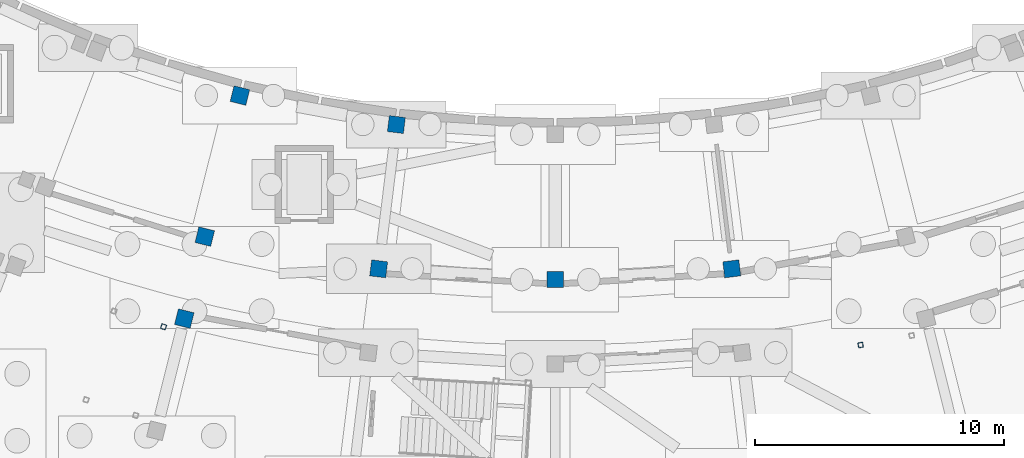
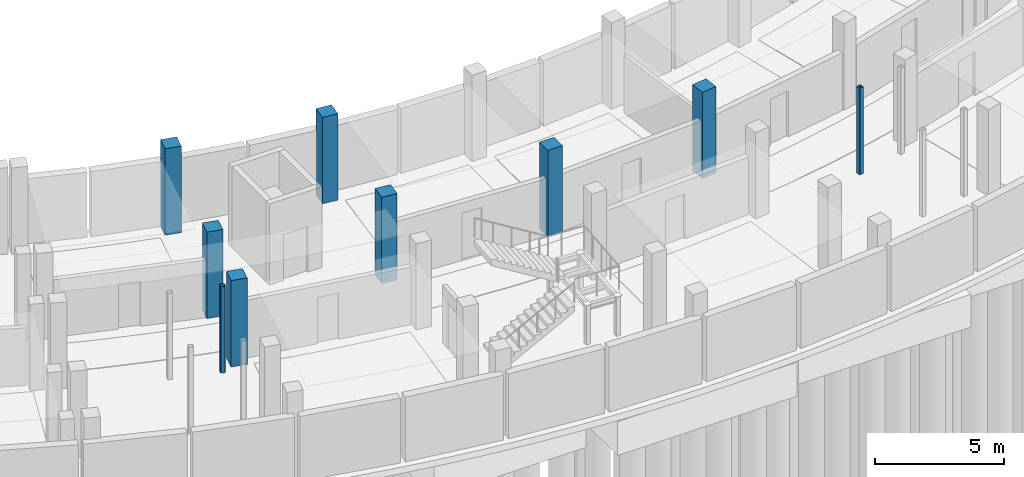
# One storey, part 19 of 58: 9 columns.
"""IFC4 building model written with IfcOpenShell, lengths in metres."""

from ifc_helpers import new_model, si_unit, direction, frame, origin, origin_2d, place, context, subcontext, project, spatial, rectangle, hollow_rectangle, extrude, material, material_profile, profile_set, type_object, element, save


model = new_model("IFC4")

# Units and contexts
model_context = context("Model", 3, precision=1e-05, world=origin(), true_north=direction((0.0, 1.0)))
body_context = subcontext(model_context, "Body", "Model", "MODEL_VIEW")
ifc_project = project(units=[si_unit("LENGTHUNIT", "METRE"), si_unit("AREAUNIT", "SQUARE_METRE"), si_unit("VOLUMEUNIT", "CUBIC_METRE"), si_unit("PLANEANGLEUNIT", "RADIAN"), si_unit("MASSUNIT", "GRAM", prefix="KILO")], contexts=[model_context])

# Site, building, storey
site_placement = place(None, origin())
site = spatial("IfcSite", under=ifc_project, at=site_placement, CompositionType="ELEMENT")
building_placement = place(site_placement, origin())
building = spatial("IfcBuilding", under=site, at=building_placement, Name="Caldaven Crescent School", CompositionType="ELEMENT")
storey_placement = place(building_placement, frame((0.0, 0.0, -4.080078125)))
storey = spatial("IfcBuildingStorey", under=building, at=storey_placement, Name="B1", CompositionType="ELEMENT", Elevation=-4.080078125)

# Columns
ifc_material_1 = material(Name="Steel ASTM A572 Grade 50", Category="steel")
ifc_material_profile_1 = material_profile(ifc_material_1, hollow_rectangle(XDim=0.199951171875, YDim=0.199951171875, WallThickness=0.010009765625, InnerFilletRadius=0.010009765625, OuterFilletRadius=0.02001953125, at=origin_2d()), Name="HSS 200x200x10")
ifc_profile_set_1 = profile_set([ifc_material_profile_1], Name="Steel ASTM A572 Grade 50")
column_type_1 = type_object("IfcColumnType", Name="COL-HS20", PredefinedType="COLUMN", material=ifc_profile_set_1)
for number, where, z_axis, x_axis, name in (
    (1, (72.239013671875, 35.80322265625, 0.0), (0.0, 0.0, 1.0), (0.953716950748, -0.300705799504, 0.0), "COL-STPOST-ST2-B1-D"),
    (2, (100.28955078125, 35.0693359375, 0.0), (0.0, 0.0, 1.0), (0.983254907564, 0.182235525492, 0.0), "COL-STPOST-ST3-B1-B"),
):
    element("IfcColumn", number, at=place(storey_placement, frame(where, z_axis=z_axis, x_axis=x_axis)), inside=storey, type_object=column_type_1, Name=name, PredefinedType="COLUMN", context=body_context, shape_type="SweptSolid", body=[
        extrude(hollow_rectangle(XDim=0.199951171875, YDim=0.199951171875, WallThickness=0.010009765625, InnerFilletRadius=0.010009765625, OuterFilletRadius=0.02001953125, at=origin_2d()), origin(), (0.0, 0.0, 1.0), 4.080078125),
    ])
ifc_material_2 = material(Name="Concrete C35/45", Category="concrete")
ifc_material_profile_2 = material_profile(ifc_material_2, rectangle(XDim=0.64990234375, YDim=0.64990234375, at=origin_2d()), Name="RC 650x650")
ifc_profile_set_2 = profile_set([ifc_material_profile_2], Name="Concrete C35/45")
column_type_2 = type_object("IfcColumnType", Name="COL-RC65", PredefinedType="COLUMN", material=ifc_profile_set_2)
for number, where, z_axis, x_axis, name in (
    (3, (75.311279296875, 45.10791015625, 0.0), (0.0, 0.0, 1.0), (-0.2419218956, -0.970295726276, 0.0), "COL-V5-B1-01-0"),
    (4, (73.89599609375, 39.431640625, 0.0), (0.0, 0.0, 1.0), (-0.2419218956, -0.970295726276, 0.0), "COL-V5-B1-01-1"),
    (5, (73.073486328125, 36.1328125, 0.0), (0.0, 0.0, 1.0), (-0.2419218956, -0.970295726276, 0.0), "COL-V5-B1-01-2"),
    (6, (81.60791015625, 43.94091796875, 0.0), (0.0, 0.0, 1.0), (-0.121869343405, -0.992546151641, 0.0), "COL-V5-B1-02-0"),
    (7, (80.89501953125, 38.134521484375, 0.0), (0.0, 0.0, 1.0), (-0.121869343405, -0.992546151641, 0.0), "COL-V5-B1-02-1"),
    (8, (88.0, 37.699951171875, 0.0), (0.0, 0.0, 1.0), (0.0, -1.0, 0.0), "COL-V5-B1-03-1"),
    (9, (95.10498046875, 38.134521484375, 0.0), (0.0, 0.0, 1.0), (0.121869343405, -0.992546151641, 0.0), "COL-V5-B1-04-1"),
):
    element("IfcColumn", number, at=place(storey_placement, frame(where, z_axis=z_axis, x_axis=x_axis)), inside=storey, type_object=column_type_2, Name=name, PredefinedType="COLUMN", context=body_context, shape_type="SweptSolid", body=[
        extrude(rectangle(XDim=0.64990234375, YDim=0.64990234375, at=origin_2d()), origin(), (0.0, 0.0, 1.0), 4.080078125),
    ])

save(model, "model.ifc")
